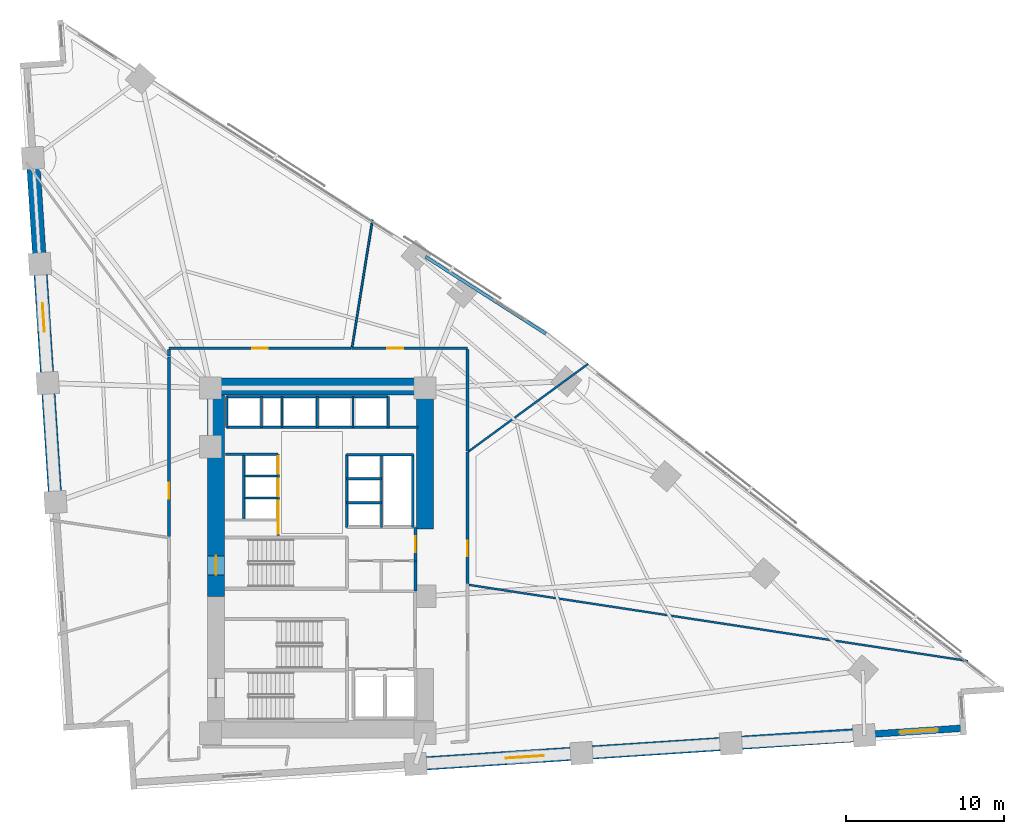
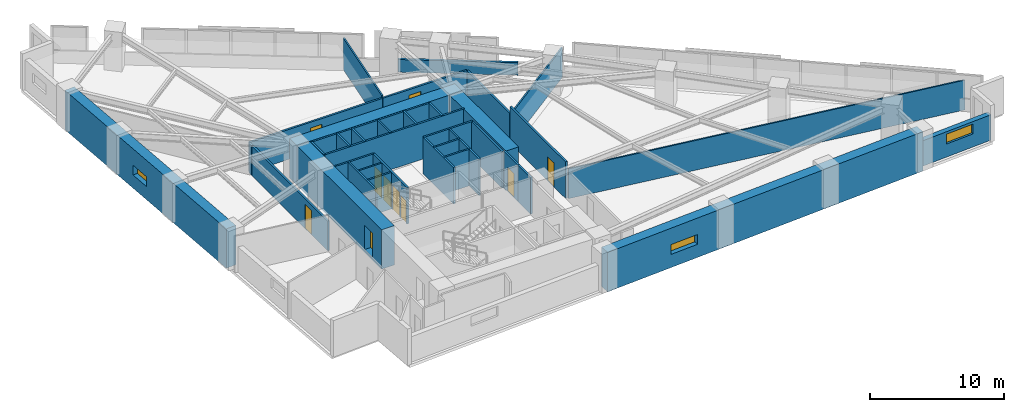
# One storey, part 13 of 16: 38 walls, 10 doors, 3 windows, 13 openings.
"""IFC4 building model written with IfcOpenShell, lengths in metres."""

import ifcopenshell
import ifcopenshell.guid

model = None  # the IFC model being written
_history = None  # IfcOwnerHistory: only IFC2X3 demands one
_inside = {}  # id of a spatial element -> (the spatial element, [elements in it])
_under = {}  # id of a project, library or spatial element -> (it, [spatial elements below it])
_declared = {}  # id of a project -> (the project, [libraries it declares])
_typed = {}  # id of a type object -> (the type object, [elements of that type])
_made_of = {}  # id of a material, layer set ... -> (it, [elements and type objects made of it])


def new_model(schema):
    """Start an empty IFC model of exactly this schema.

    Asked for "IFC4X3", IfcOpenShell would pick the latest addendum, in which some entities
    have other attributes; the version numbers below select the first issue.
    IFC2X3 requires an IfcOwnerHistory on every rooted entity: one is made here for all.
    """
    global model, _history
    if schema == "IFC4X3":
        model = ifcopenshell.file(schema_version=(4, 3, 0, 0))
    else:
        model = ifcopenshell.file(schema=schema)
    _inside.clear()
    _under.clear()
    _declared.clear()
    _typed.clear()
    _made_of.clear()
    _history = None
    if model.schema == "IFC2X3":
        org = make("IfcOrganization", Name="unknown")
        user = make(
            "IfcPersonAndOrganization",
            ThePerson=make("IfcPerson", FamilyName="unknown"),
            TheOrganization=org,
        )
        app = make(
            "IfcApplication",
            ApplicationDeveloper=org,
            Version="unknown",
            ApplicationFullName="unknown",
            ApplicationIdentifier="unknown",
        )
        _history = make(
            "IfcOwnerHistory",
            OwningUser=user,
            OwningApplication=app,
            ChangeAction="ADDED",
            CreationDate=0,
        )
    return model


def make(cls, **values):
    """One entity of the class cls with the attributes given. An attribute that is None is left unset."""
    return model.create_entity(
        cls, **{name: value for name, value in values.items() if value is not None}
    )


def rooted(cls, **values):
    """An entity with a GlobalId (a new one), such as an element, a storey or a relation."""
    return make(cls, GlobalId=ifcopenshell.guid.new(), OwnerHistory=_history, **values)


def si_unit(unit_type, name, prefix=None):
    """IfcSIUnit, for example si_unit("LENGTHUNIT", "METRE", prefix="MILLI")."""
    return make("IfcSIUnit", UnitType=unit_type, Prefix=prefix, Name=name)


def assignment(units):
    """IfcUnitAssignment: the units of a project."""
    return None if units is None else make("IfcUnitAssignment", Units=units)


def point(xyz):
    """IfcCartesianPoint."""
    return None if xyz is None else make("IfcCartesianPoint", Coordinates=xyz)


def direction(xyz):
    """IfcDirection."""
    return None if xyz is None else make("IfcDirection", DirectionRatios=xyz)


def frame(location, z_axis=None, x_axis=None):
    """IfcAxis2Placement3D, a coordinate frame: its origin and axes. An axis left out is left unset."""
    return make(
        "IfcAxis2Placement3D",
        Location=point(location),
        Axis=direction(z_axis),
        RefDirection=direction(x_axis),
    )


def frame_2d(location, x_axis=None):
    """IfcAxis2Placement2D, a coordinate frame in the plane: its origin and x axis."""
    return make(
        "IfcAxis2Placement2D", Location=point(location), RefDirection=direction(x_axis)
    )


def origin():
    """The frame at (0, 0, 0) with its axes left unset."""
    return frame((0.0, 0.0, 0.0))


def place(relative_to, where):
    """IfcLocalPlacement: puts the frame where relative to a parent placement (None: the world)."""
    return make(
        "IfcLocalPlacement", PlacementRelTo=relative_to, RelativePlacement=where
    )


def context(
    kind, dimensions, precision=None, world=None, true_north=None, identifier=None
):
    """IfcGeometricRepresentationContext, for example the 3D "Model" context."""
    return make(
        "IfcGeometricRepresentationContext",
        ContextIdentifier=identifier,
        ContextType=kind,
        CoordinateSpaceDimension=dimensions,
        Precision=precision,
        WorldCoordinateSystem=world,
        TrueNorth=true_north,
    )


def subcontext(parent, identifier, kind, view, scale=None):
    """IfcGeometricRepresentationSubContext, for example "Body" below "Model"."""
    return make(
        "IfcGeometricRepresentationSubContext",
        ContextIdentifier=identifier,
        ContextType=kind,
        ParentContext=parent,
        TargetScale=scale,
        TargetView=view,
    )


def project(units=None, contexts=None):
    """IfcProject with its units and contexts."""
    return rooted(
        "IfcProject",
        Name="project",
        RepresentationContexts=contexts,
        UnitsInContext=assignment(units),
    )


def spatial(cls, under=None, at=None, **own):
    """A site, building, storey or space (cls), placed at a placement, below another one or the project."""
    s = rooted(cls, ObjectPlacement=at, **own)
    if under is not None:
        _under.setdefault(under.id(), (under, []))[1].append(s)
    return s


def profile(cls, at=None, kind="AREA", **sizes):
    """A parametric profile (cls). Its sizes go by their IFC names, for example OverallWidth=200.0."""
    return make(cls, ProfileType=kind, Position=at, **sizes)


def rectangle(**sizes):
    """IfcRectangleProfileDef."""
    return profile("IfcRectangleProfileDef", **sizes)


def extrude(swept, where, along, depth):
    """IfcExtrudedAreaSolid: the profile swept, set in the frame where, extruded along a direction by depth."""
    return make(
        "IfcExtrudedAreaSolid",
        SweptArea=swept,
        Position=where,
        ExtrudedDirection=direction(along),
        Depth=depth,
    )


def shape(context_of_items, identifier, shape_type, items):
    """IfcShapeRepresentation: the items that make up one representation, for example the "Body"."""
    return make(
        "IfcShapeRepresentation",
        ContextOfItems=context_of_items,
        RepresentationIdentifier=identifier,
        RepresentationType=shape_type,
        Items=items,
    )


def material(Name=None, Category=None):
    """IfcMaterial."""
    return make("IfcMaterial", Name=Name, Category=Category)


def layer(
    of_material, thickness, ventilated=None, Name=None, Category=None, Priority=None
):
    """IfcMaterialLayer: one layer of a wall or slab, of a material (None: an air gap)."""
    return make(
        "IfcMaterialLayer",
        Material=of_material,
        LayerThickness=thickness,
        IsVentilated=ventilated,
        Name=Name,
        Category=Category,
        Priority=Priority,
    )


def layer_set(layers, Name=None):
    """IfcMaterialLayerSet."""
    return make("IfcMaterialLayerSet", MaterialLayers=layers, LayerSetName=Name)


def made_of(thing, what):
    """Note that an element or type object is made of a material, layer set ...; save() writes the relation."""
    if what is not None:
        _made_of.setdefault(what.id(), (what, []))[1].append(thing)
    return thing


def type_object(cls, material=None, **own):
    """A type object (cls), such as IfcWallType, which elements share."""
    return made_of(rooted(cls, **own), material)


def element(
    cls,
    number,
    at=None,
    inside=None,
    cuts=None,
    type_object=None,
    material=None,
    context=None,
    identifier="Body",
    shape_type=None,
    held_by="IfcProductDefinitionShape",
    body=None,
    shapes=None,
    **own,
):
    """One element of the class cls, such as IfcWall. Its Tag is "e" and its number.

    at: its placement. inside: the storey or other place that contains it. cuts: it is an
    opening in that element (IfcRelVoidsElement). A single representation is given by context,
    identifier, shape_type and body (its items); several are given by shapes. held_by: the class
    of the entity that holds the representations. save() writes the other relations.
    """
    e = rooted(cls, Tag="e%d" % number, ObjectPlacement=at, **own)
    if body is not None:
        shapes = [shape(context, identifier, shape_type, body)]
    if shapes is not None:
        e.Representation = make(held_by, Representations=shapes)
    if inside is not None:
        _inside.setdefault(inside.id(), (inside, []))[1].append(e)
    if cuts is not None:
        rooted(
            "IfcRelVoidsElement", RelatingBuildingElement=cuts, RelatedOpeningElement=e
        )
    if type_object is not None:
        _typed.setdefault(type_object.id(), (type_object, []))[1].append(e)
    return made_of(e, material)


def fill(opening, filler):
    """IfcRelFillsElement: the door or window that sits in an opening."""
    return rooted(
        "IfcRelFillsElement",
        RelatingOpeningElement=opening,
        RelatedBuildingElement=filler,
    )


def aggregate(whole, parts):
    """IfcRelAggregates: a whole, such as a stair, and the parts it consists of."""
    return rooted("IfcRelAggregates", RelatingObject=whole, RelatedObjects=parts)


def save(model, path):
    """Write the relations noted so far, then the file.

    IfcRelAggregates (storeys below a building ...), IfcRelContainedInSpatialStructure (elements
    in a storey), IfcRelDefinesByType, IfcRelAssociatesMaterial and IfcRelDeclares: one each for
    every whole, place, type object, material and project.
    """
    for whole, parts in _under.values():
        aggregate(whole, parts)
    for where, things in _inside.values():
        rooted(
            "IfcRelContainedInSpatialStructure",
            RelatedElements=things,
            RelatingStructure=where,
        )
    for kind, things in _typed.values():
        rooted("IfcRelDefinesByType", RelatedObjects=things, RelatingType=kind)
    for what, things in _made_of.values():
        rooted("IfcRelAssociatesMaterial", RelatedObjects=things, RelatingMaterial=what)
    for by, libraries in _declared.values():
        rooted("IfcRelDeclares", RelatingContext=by, RelatedDefinitions=libraries)
    model.write(path)


model = new_model("IFC4")

# Units and contexts
model_context = context("Model", 3, precision=1e-05, world=origin(), true_north=direction((0.0, 1.0)))
body_context = subcontext(model_context, "Body", "Model", "MODEL_VIEW")
ifc_project = project(units=[si_unit("LENGTHUNIT", "METRE"), si_unit("AREAUNIT", "SQUARE_METRE"), si_unit("VOLUMEUNIT", "CUBIC_METRE"), si_unit("PLANEANGLEUNIT", "RADIAN"), si_unit("MASSUNIT", "GRAM", prefix="KILO")], contexts=[model_context])

# Site, building, storey
site_placement = place(None, origin())
site = spatial("IfcSite", under=ifc_project, at=site_placement, CompositionType="ELEMENT")
building_placement = place(site_placement, origin())
building = spatial("IfcBuilding", under=site, at=building_placement, Name="Narakoshi Arena Tower", CompositionType="ELEMENT")
storey_placement = place(building_placement, frame((0.0, 0.0, 88.5)))
storey = spatial("IfcBuildingStorey", under=building, at=storey_placement, Name="L23", CompositionType="ELEMENT", Elevation=88.5)

# Wall, opening, door
ifc_material_1 = material(Name="Concrete C60/75", Category="concrete")
ifc_layer_1 = layer(ifc_material_1, 1.10009765625)
ifc_layer_set_1 = layer_set([ifc_layer_1], Name="Concrete C60/75")
wall_type_1 = type_object("IfcWallType", Name="WL-CORE-1100", PredefinedType="SHEAR", material=ifc_layer_set_1)
wall_1_placement = place(storey_placement, frame((72.35009765625, 43.35009765625, -0.260009765625), z_axis=(0.0, 0.0, 1.0), x_axis=(0.0, 1.0, 0.0)))
wall_1 = element("IfcWall", 1, at=wall_1_placement, inside=storey, type_object=wall_type_1, Name="L23 Main Core Shear Wall CW-MN-W", PredefinedType="SHEAR", context=body_context, shape_type="SweptSolid", body=[
    extrude(rectangle(XDim=12.699951171875, YDim=1.10009765625, at=frame_2d((6.35009765625, 0.0))), origin(), (0.0, 0.0, 1.0), 3.60009765625),
])
opening_1_placement = place(wall_1_placement, frame((1.35009765625, 0.0, 0.260009765625)))
opening_1 = element("IfcOpeningElement", 2, at=opening_1_placement, cuts=wall_1, Name="Opening D-03", PredefinedType="OPENING", context=body_context, shape_type="SweptSolid", body=[
    extrude(rectangle(XDim=1.199951171875, YDim=2.199951171875, at=frame_2d((0.60009765625, 1.10009765625))), frame((0.0, 0.56005859375, 0.0), z_axis=(0.0, -1.0, 0.0), x_axis=(1.0, 0.0, 0.0)), (0.0, 0.0, 1.0), 1.1201171875),
])
ifc_material_2 = material(Name="Painted galvanized steel", Category="steel")
door_type_1 = type_object("IfcDoorType", Name="DR-STR-1200", OperationType="NOTDEFINED", PredefinedType="USERDEFINED", material=ifc_material_2)
door_1_placement = place(opening_1_placement, frame((1.199951171875, 0.0, 0.0), z_axis=(0.0, 0.0, 1.0), x_axis=(-1.0, 0.0, 0.0)))
door_1 = element("IfcDoor", 3, at=door_1_placement, inside=storey, type_object=door_type_1, Name="DR-L23-006", ObjectType="EXITDOOR", OperationType="SINGLE_SWING_LEFT", OverallHeight=2.199951171875, OverallWidth=1.199951171875, PredefinedType="USERDEFINED", context=body_context, shape_type="SweptSolid", body=[
    extrude(rectangle(XDim=1.199951171875, YDim=2.199951171875, at=frame_2d((0.60009765625, 1.10009765625))), frame((0.0, 0.02490234375, 0.0), z_axis=(0.0, -1.0, 0.0), x_axis=(1.0, 0.0, 0.0)), (0.0, 0.0, 1.0), 0.050048828125),
])
fill(opening_1, door_1)

# Walls
wall_2_placement = place(storey_placement, frame((71.800048828125, 56.60009765625, -0.260009765625), z_axis=(0.0, 0.0, 1.0), x_axis=(1.0, 0.0, 0.0)))
element("IfcWall", 4, at=wall_2_placement, inside=storey, type_object=wall_type_1, Name="L23 Main Core Shear Wall CW-MN-N", PredefinedType="SHEAR", context=body_context, shape_type="SweptSolid", body=[
    extrude(rectangle(XDim=14.300048828125, YDim=1.10009765625, at=frame_2d((7.14990234375, 0.0))), origin(), (0.0, 0.0, 1.0), 3.60009765625),
])
wall_3_placement = place(storey_placement, frame((85.550048828125, 47.60009765625, -0.260009765625), z_axis=(0.0, 0.0, 1.0), x_axis=(0.0, 1.0, 0.0)))
element("IfcWall", 5, at=wall_3_placement, inside=storey, type_object=wall_type_1, Name="L23 Main Core Shear Wall CW-MN-E", PredefinedType="SHEAR", context=body_context, shape_type="SweptSolid", body=[
    extrude(rectangle(XDim=8.449951171875, YDim=1.10009765625, at=frame_2d((4.22509765625, 0.0))), origin(), (0.0, 0.0, 1.0), 3.60009765625),
])

# Wall, opening, door
ifc_material_3 = material(Name="Gypsum plasterboard fire-rated partition")
ifc_layer_2 = layer(ifc_material_3, 0.1650390625)
ifc_layer_set_2 = layer_set([ifc_layer_2], Name="Gypsum plasterboard fire-rated partition")
wall_type_2 = type_object("IfcWallType", Name="WL-CORR-165", PredefinedType="PARTITIONING", material=ifc_layer_set_2)
wall_4_placement = place(storey_placement, frame((84.949951171875, 45.580078125, 0.0), z_axis=(0.0, 0.0, 1.0), x_axis=(0.0, 1.0, 0.0)))
wall_4 = element("IfcWall", 6, at=wall_4_placement, inside=storey, type_object=wall_type_2, Name="L23 Core Wall CPAS-E", PredefinedType="PARTITIONING", context=body_context, shape_type="SweptSolid", body=[
    extrude(rectangle(XDim=2.119873046875, YDim=0.1650390625, at=frame_2d((1.06005859375, 0.0))), origin(), (0.0, 0.0, 1.0), 3.340087890625),
])
opening_2_placement = place(wall_4_placement, frame((0.56005859375, 0.0, 0.0)))
opening_2 = element("IfcOpeningElement", 7, at=opening_2_placement, cuts=wall_4, Name="Opening D-06", PredefinedType="OPENING", context=body_context, shape_type="SweptSolid", body=[
    extrude(rectangle(XDim=1.0, YDim=2.199951171875, at=frame_2d((0.5, 1.10009765625))), frame((0.0, 0.092529296875, 0.0), z_axis=(0.0, -1.0, 0.0), x_axis=(1.0, 0.0, 0.0)), (0.0, 0.0, 1.0), 0.18505859375),
])
ifc_material_4 = material(Name="Stained oak solid-core timber", Category="wood")
door_type_2 = type_object("IfcDoorType", Name="DR-OFF-1000", OperationType="NOTDEFINED", PredefinedType="DOOR", material=ifc_material_4)
door_2_placement = place(opening_2_placement, frame((1.0, 0.0, 0.0), z_axis=(0.0, 0.0, 1.0), x_axis=(-1.0, 0.0, 0.0)))
door_2 = element("IfcDoor", 8, at=door_2_placement, inside=storey, type_object=door_type_2, Name="DR-L23-007", OperationType="SINGLE_SWING_LEFT", OverallHeight=2.199951171875, OverallWidth=1.0, PredefinedType="DOOR", context=body_context, shape_type="SweptSolid", body=[
    extrude(rectangle(XDim=1.0, YDim=2.199951171875, at=frame_2d((0.5, 1.10009765625))), frame((0.0, 0.02490234375, 0.0), z_axis=(0.0, -1.0, 0.0), x_axis=(1.0, 0.0, 0.0)), (0.0, 0.0, 1.0), 0.050048828125),
])
fill(opening_2, door_2)

wall_5_placement = place(storey_placement, frame((88.237548828125, 44.142578125, 0.0), z_axis=(0.0, 0.0, 1.0), x_axis=(0.0, 1.0, 0.0)))
wall_5 = element("IfcWall", 9, at=wall_5_placement, inside=storey, type_object=wall_type_2, Name="L23 Corridor Partition 06-1", PredefinedType="PARTITIONING", context=body_context, shape_type="SweptSolid", body=[
    extrude(rectangle(XDim=8.337158203125, YDim=0.1650390625, at=frame_2d((4.16845703125, 0.0))), origin(), (0.0, 0.0, 1.0), 3.340087890625),
])
opening_3_placement = place(wall_5_placement, frame((1.72607421875, 0.0, 0.0)))
opening_3 = element("IfcOpeningElement", 10, at=opening_3_placement, cuts=wall_5, Name="Opening D-06", PredefinedType="OPENING", context=body_context, shape_type="SweptSolid", body=[
    extrude(rectangle(XDim=1.0, YDim=2.199951171875, at=frame_2d((0.5, 1.10009765625))), frame((0.0, 0.092529296875, 0.0), z_axis=(0.0, -1.0, 0.0), x_axis=(1.0, 0.0, 0.0)), (0.0, 0.0, 1.0), 0.18505859375),
])
door_3_placement = place(opening_3_placement, frame((1.0, 0.0, 0.0), z_axis=(0.0, 0.0, 1.0), x_axis=(-1.0, 0.0, 0.0)))
door_3 = element("IfcDoor", 11, at=door_3_placement, inside=storey, type_object=door_type_2, Name="DR-L23-019", OperationType="SINGLE_SWING_RIGHT", OverallHeight=2.199951171875, OverallWidth=1.0, PredefinedType="DOOR", context=body_context, shape_type="SweptSolid", body=[
    extrude(rectangle(XDim=1.0, YDim=2.199951171875, at=frame_2d((0.5, 1.10009765625))), frame((0.0, 0.02490234375, 0.0), z_axis=(0.0, -1.0, 0.0), x_axis=(1.0, 0.0, 0.0)), (0.0, 0.0, 1.0), 0.050048828125),
])
fill(opening_3, door_3)

wall_6_placement = place(storey_placement, frame((88.237548828125, 59.02001953125, 0.0), z_axis=(0.0, 0.0, 1.0), x_axis=(-1.0, 0.0, 0.0)))
wall_6 = element("IfcWall", 12, at=wall_6_placement, inside=storey, type_object=wall_type_2, Name="L23 Corridor Partition 07-1", PredefinedType="PARTITIONING", context=body_context, shape_type="SweptSolid", body=[
    extrude(rectangle(XDim=7.3359375, YDim=0.1650390625, at=frame_2d((3.66796875, 0.0))), origin(), (0.0, 0.0, 1.0), 2.72509765625),
])
opening_4_placement = place(wall_6_placement, frame((4.058349609375, 0.0, 0.0)))
opening_4 = element("IfcOpeningElement", 13, at=opening_4_placement, cuts=wall_6, Name="Opening D-06", PredefinedType="OPENING", context=body_context, shape_type="SweptSolid", body=[
    extrude(rectangle(XDim=1.0, YDim=2.199951171875, at=frame_2d((0.5, 1.10009765625))), frame((0.0, 0.092529296875, 0.0), z_axis=(0.0, -1.0, 0.0), x_axis=(1.0, 0.0, 0.0)), (0.0, 0.0, 1.0), 0.18505859375),
])
door_4_placement = place(opening_4_placement, frame((1.0, 0.0, 0.0), z_axis=(0.0, 0.0, 1.0), x_axis=(-1.0, 0.0, 0.0)))
door_4 = element("IfcDoor", 14, at=door_4_placement, inside=storey, type_object=door_type_2, Name="DR-L23-020", OperationType="SINGLE_SWING_LEFT", OverallHeight=2.199951171875, OverallWidth=1.0, PredefinedType="DOOR", context=body_context, shape_type="SweptSolid", body=[
    extrude(rectangle(XDim=1.0, YDim=2.199951171875, at=frame_2d((0.5, 1.10009765625))), frame((0.0, 0.02490234375, 0.0), z_axis=(0.0, -1.0, 0.0), x_axis=(1.0, 0.0, 0.0)), (0.0, 0.0, 1.0), 0.050048828125),
])
fill(opening_4, door_4)

# Wall
wall_7_placement = place(storey_placement, frame((88.237548828125, 52.5419921875, 0.0), z_axis=(0.0, 0.0, 1.0), x_axis=(0.0, 1.0, 0.0)))
element("IfcWall", 15, at=wall_7_placement, inside=storey, type_object=wall_type_2, Name="L23 Corridor Partition 07-2", PredefinedType="PARTITIONING", context=body_context, shape_type="SweptSolid", body=[
    extrude(rectangle(XDim=6.383544921875, YDim=0.1650390625, at=frame_2d((3.19189453125, 0.0))), origin(), (0.0, 0.0, 1.0), 2.72509765625),
])

# Wall, opening, door
wall_8_placement = place(storey_placement, frame((80.87744140625, 59.02001953125, 0.0), z_axis=(0.0, 0.0, 1.0), x_axis=(-1.0, 0.0, 0.0)))
wall_8 = element("IfcWall", 16, at=wall_8_placement, inside=storey, type_object=wall_type_2, Name="L23 Corridor Partition 08-1", PredefinedType="PARTITIONING", context=body_context, shape_type="SweptSolid", body=[
    extrude(rectangle(XDim=11.49755859375, YDim=0.1650390625, at=frame_2d((5.748779296875, 0.0))), origin(), (0.0, 0.0, 1.0), 2.72509765625),
])
opening_5_placement = place(wall_8_placement, frame((5.248779296875, 0.0, 0.0)))
opening_5 = element("IfcOpeningElement", 17, at=opening_5_placement, cuts=wall_8, Name="Opening D-06", PredefinedType="OPENING", context=body_context, shape_type="SweptSolid", body=[
    extrude(rectangle(XDim=1.0, YDim=2.199951171875, at=frame_2d((0.5, 1.10009765625))), frame((0.0, 0.092529296875, 0.0), z_axis=(0.0, -1.0, 0.0), x_axis=(1.0, 0.0, 0.0)), (0.0, 0.0, 1.0), 0.18505859375),
])
door_5_placement = place(opening_5_placement, frame((1.0, 0.0, 0.0), z_axis=(0.0, 0.0, 1.0), x_axis=(-1.0, 0.0, 0.0)))
door_5 = element("IfcDoor", 18, at=door_5_placement, inside=storey, type_object=door_type_2, Name="DR-L23-021", OperationType="SINGLE_SWING_RIGHT", OverallHeight=2.199951171875, OverallWidth=1.0, PredefinedType="DOOR", context=body_context, shape_type="SweptSolid", body=[
    extrude(rectangle(XDim=1.0, YDim=2.199951171875, at=frame_2d((0.5, 1.10009765625))), frame((0.0, 0.02490234375, 0.0), z_axis=(0.0, -1.0, 0.0), x_axis=(1.0, 0.0, 0.0)), (0.0, 0.0, 1.0), 0.050048828125),
])
fill(opening_5, door_5)

# Wall
wall_9_placement = place(storey_placement, frame((69.3798828125, 58.925537109375, 0.0), z_axis=(0.0, 0.0, 1.0), x_axis=(0.0, -1.0, 0.0)))
element("IfcWall", 19, at=wall_9_placement, inside=storey, type_object=wall_type_2, Name="L23 Corridor Partition 08-2", PredefinedType="PARTITIONING", context=body_context, shape_type="SweptSolid", body=[
    extrude(rectangle(XDim=0.410888671875, YDim=0.1650390625, at=frame_2d((0.20556640625, 0.0))), origin(), (0.0, 0.0, 1.0), 2.72509765625),
])

# Wall, opening, door
wall_10_placement = place(storey_placement, frame((69.3798828125, 58.47412109375, 0.0), z_axis=(0.0, 0.0, 1.0), x_axis=(0.0, -1.0, 0.0)))
wall_10 = element("IfcWall", 20, at=wall_10_placement, inside=storey, type_object=wall_type_2, Name="L23 Corridor Partition 09-1", PredefinedType="PARTITIONING", context=body_context, shape_type="SweptSolid", body=[
    extrude(rectangle(XDim=11.34423828125, YDim=0.1650390625, at=frame_2d((5.672119140625, 0.0))), origin(), (0.0, 0.0, 1.0), 2.72509765625),
])
opening_6_placement = place(wall_10_placement, frame((7.95654296875, 0.0, 0.0)))
opening_6 = element("IfcOpeningElement", 21, at=opening_6_placement, cuts=wall_10, Name="Opening D-06", PredefinedType="OPENING", context=body_context, shape_type="SweptSolid", body=[
    extrude(rectangle(XDim=1.0, YDim=2.199951171875, at=frame_2d((0.5, 1.10009765625))), frame((0.0, 0.092529296875, 0.0), z_axis=(0.0, -1.0, 0.0), x_axis=(1.0, 0.0, 0.0)), (0.0, 0.0, 1.0), 0.18505859375),
])
door_6_placement = place(opening_6_placement, frame((1.0, 0.0, 0.0), z_axis=(0.0, 0.0, 1.0), x_axis=(-1.0, 0.0, 0.0)))
door_6 = element("IfcDoor", 22, at=door_6_placement, inside=storey, type_object=door_type_2, Name="DR-L23-022", OperationType="SINGLE_SWING_LEFT", OverallHeight=2.199951171875, OverallWidth=1.0, PredefinedType="DOOR", context=body_context, shape_type="SweptSolid", body=[
    extrude(rectangle(XDim=1.0, YDim=2.199951171875, at=frame_2d((0.5, 1.10009765625))), frame((0.0, 0.02490234375, 0.0), z_axis=(0.0, -1.0, 0.0), x_axis=(1.0, 0.0, 0.0)), (0.0, 0.0, 1.0), 0.050048828125),
])
fill(opening_6, door_6)

# Wall, opening, window
ifc_layer_3 = layer(ifc_material_1, 0.85009765625)
ifc_layer_set_3 = layer_set([ifc_layer_3], Name="Concrete C60/75")
wall_type_3 = type_object("IfcWallType", Name="WL-LEG-850", PredefinedType="SHEAR", material=ifc_layer_set_3)
wall_11_placement = place(storey_placement, frame((84.95703125, 32.7509765625, -0.260009765625), z_axis=(0.0, 0.0, 1.0), x_axis=(0.997859046449, 0.065401249368, 0.0)))
wall_11 = element("IfcWall", 23, at=wall_11_placement, inside=storey, type_object=wall_type_3, Name="L23 Architectural Concrete Structural Wall LEGA-2", PredefinedType="SHEAR", context=body_context, shape_type="SweptSolid", body=[
    extrude(rectangle(XDim=28.400390625, YDim=0.85009765625, at=frame_2d((14.2001953125, 0.0))), origin(), (0.0, 0.0, 1.0), 3.60009765625),
])
opening_7_placement = place(wall_11_placement, frame((5.699951171875, 0.0, 1.199951171875)))
opening_7 = element("IfcOpeningElement", 24, at=opening_7_placement, cuts=wall_11, Name="Opening WN-01", PredefinedType="OPENING", context=body_context, shape_type="SweptSolid", body=[
    extrude(rectangle(XDim=2.39990234375, YDim=0.89990234375, at=frame_2d((1.199951171875, 0.449951171875))), frame((0.0, 0.43505859375, 0.0), z_axis=(0.0, -1.0, 0.0), x_axis=(1.0, 0.0, 0.0)), (0.0, 0.0, 1.0), 0.8701171875),
])
ifc_material_5 = material(Name="Bronze-tinted low-E laminated glass", Category="glass")
window_type_1 = type_object("IfcWindowType", Name="WIN-SLT-24x09", PartitioningType="SINGLE_PANEL", PredefinedType="WINDOW", material=ifc_material_5)
window_1_placement = place(opening_7_placement, origin())
window_1 = element("IfcWindow", 25, at=window_1_placement, inside=storey, type_object=window_type_1, Name="L23 LEGA2 Horizontal Slot Window 1", OverallHeight=0.89990234375, OverallWidth=2.39990234375, PartitioningType="SINGLE_PANEL", PredefinedType="WINDOW", context=body_context, shape_type="SweptSolid", body=[
    extrude(rectangle(XDim=2.39990234375, YDim=0.89990234375, at=frame_2d((1.199951171875, 0.449951171875))), frame((0.0, 0.030029296875, 0.0), z_axis=(0.0, -1.0, 0.0), x_axis=(1.0, 0.0, 0.0)), (0.0, 0.0, 1.0), 0.06005859375),
])
fill(opening_7, window_1)

wall_12_placement = place(storey_placement, frame((60.785400390625, 71.031005859375, -0.260009765625), z_axis=(0.0, 0.0, 1.0), x_axis=(0.065409824833, -0.997858484363, 0.0)))
wall_12 = element("IfcWall", 26, at=wall_12_placement, inside=storey, type_object=wall_type_3, Name="L23 Architectural Concrete Structural Wall LEGB-2", PredefinedType="SHEAR", context=body_context, shape_type="SweptSolid", body=[
    extrude(rectangle(XDim=21.78271484375, YDim=0.85009765625, at=frame_2d((10.891357421875, 0.0))), origin(), (0.0, 0.0, 1.0), 3.60009765625),
])
opening_8_placement = place(wall_12_placement, frame((9.199951171875, 0.0, 1.199951171875)))
opening_8 = element("IfcOpeningElement", 27, at=opening_8_placement, cuts=wall_12, Name="Opening WN-02", PredefinedType="OPENING", context=body_context, shape_type="SweptSolid", body=[
    extrude(rectangle(XDim=1.800048828125, YDim=0.89990234375, at=frame_2d((0.89990234375, 0.449951171875))), frame((0.0, 0.43505859375, 0.0), z_axis=(0.0, -1.0, 0.0), x_axis=(1.0, 0.0, 0.0)), (0.0, 0.0, 1.0), 0.8701171875),
])
window_type_2 = type_object("IfcWindowType", Name="WIN-SLT-18x09", PartitioningType="SINGLE_PANEL", PredefinedType="WINDOW", material=ifc_material_5)
window_2_placement = place(opening_8_placement, origin())
window_2 = element("IfcWindow", 28, at=window_2_placement, inside=storey, type_object=window_type_2, Name="L23 LEGB2 Horizontal Slot Window 1", OverallHeight=0.89990234375, OverallWidth=1.800048828125, PartitioningType="SINGLE_PANEL", PredefinedType="WINDOW", context=body_context, shape_type="SweptSolid", body=[
    extrude(rectangle(XDim=1.800048828125, YDim=0.89990234375, at=frame_2d((0.89990234375, 0.449951171875))), frame((0.0, 0.030029296875, 0.0), z_axis=(0.0, -1.0, 0.0), x_axis=(1.0, 0.0, 0.0)), (0.0, 0.0, 1.0), 0.06005859375),
])
fill(opening_8, window_2)

# Walls
ifc_material_6 = material(Name="Precast concrete C45/55", Category="concrete")
ifc_layer_4 = layer(ifc_material_6, 0.25)
ifc_layer_set_4 = layer_set([ifc_layer_4], Name="Precast concrete C45/55")
wall_type_4 = type_object("IfcWallType", Name="WL-PARA-250", PredefinedType="PARAPET", material=ifc_layer_set_4)
wall_13_placement = place(storey_placement, frame((93.176025390625, 59.93896484375, 0.0), z_axis=(0.0, 0.0, 1.0), x_axis=(-0.842413081081, 0.538832256666, 0.0)))
element("IfcWall", 29, at=wall_13_placement, inside=storey, type_object=wall_type_4, Name="L23 Hypotenuse Sill Upstand Parapet 2-01", PredefinedType="PARAPET", context=body_context, shape_type="SweptSolid", body=[
    extrude(rectangle(XDim=9.010986328125, YDim=0.199951171875, at=frame_2d((4.50537109375, 0.0))), origin(), (0.0, 0.0, 1.0), 1.14990234375),
])
ifc_layer_5 = layer(ifc_material_3, 0.125)
ifc_layer_set_5 = layer_set([ifc_layer_5], Name="Gypsum plasterboard fire-rated partition")
wall_type_5 = type_object("IfcWallType", Name="WL-PART-125", PredefinedType="PARTITIONING", material=ifc_layer_set_5)
wall_14_placement = place(storey_placement, frame((88.33203125, 44.067626953125, 0.0), z_axis=(0.0, 0.0, 1.0), x_axis=(0.988573847278, -0.150737349316, 0.0)))
element("IfcWall", 30, at=wall_14_placement, inside=storey, type_object=wall_type_5, Name="L23 Inter-Room Partition 05-06", PredefinedType="PARTITIONING", context=body_context, shape_type="SweptSolid", body=[
    extrude(rectangle(XDim=31.876220703125, YDim=0.125, at=frame_2d((15.93798828125, 0.0))), origin(), (0.0, 0.0, 1.0), 2.72509765625),
])
wall_15_placement = place(storey_placement, frame((88.27880859375, 52.479736328125, 0.0), z_axis=(0.0, 0.0, 1.0), x_axis=(0.80669792857, 0.590964002323, 0.0)))
element("IfcWall", 31, at=wall_15_placement, inside=storey, type_object=wall_type_5, Name="L23 Inter-Room Partition 06-07", PredefinedType="PARTITIONING", context=body_context, shape_type="SweptSolid", body=[
    extrude(rectangle(XDim=9.403076171875, YDim=0.125, at=frame_2d((4.70166015625, 0.0))), origin(), (0.0, 0.0, 1.0), 2.72509765625),
])
wall_16_placement = place(storey_placement, frame((80.953125, 59.114501953125, 0.0), z_axis=(0.0, 0.0, 1.0), x_axis=(0.157731190012, 0.987482086773, 0.0)))
element("IfcWall", 32, at=wall_16_placement, inside=storey, type_object=wall_type_5, Name="L23 Inter-Room Partition 07-08", PredefinedType="PARTITIONING", context=body_context, shape_type="SweptSolid", body=[
    extrude(rectangle(XDim=8.115234375, YDim=0.125, at=frame_2d((4.0576171875, 0.0))), origin(), (0.0, 0.0, 1.0), 2.875),
])

# Wall, opening, window
ifc_layer_6 = layer(ifc_material_6, 0.419921875)
ifc_layer_set_6 = layer_set([ifc_layer_6], Name="Precast concrete C45/55")
wall_type_6 = type_object("IfcWallType", Name="WL-POD-420", PredefinedType="SOLIDWALL", material=ifc_layer_set_6)
wall_17_placement = place(storey_placement, frame((113.296630859375, 34.6083984375, 0.0), z_axis=(0.0, 0.0, 1.0), x_axis=(0.997857907016, 0.065418631945, 0.0)))
wall_17 = element("IfcWall", 33, at=wall_17_placement, inside=storey, type_object=wall_type_6, Name="L23 Architectural Concrete Facade Wall LEGA-3", PredefinedType="SOLIDWALL", context=body_context, shape_type="SweptSolid", body=[
    extrude(rectangle(XDim=6.2734375, YDim=0.419921875, at=frame_2d((3.13671875, 0.0))), origin(), (0.0, 0.0, 1.0), 2.324951171875),
])
opening_9_placement = place(wall_17_placement, frame((2.25341796875, 0.0, 1.199951171875)))
opening_9 = element("IfcOpeningElement", 34, at=opening_9_placement, cuts=wall_17, Name="Opening WN-01", PredefinedType="OPENING", context=body_context, shape_type="SweptSolid", body=[
    extrude(rectangle(XDim=2.39990234375, YDim=0.89990234375, at=frame_2d((1.199951171875, 0.449951171875))), frame((0.0, 0.219970703125, 0.0), z_axis=(0.0, -1.0, 0.0), x_axis=(1.0, 0.0, 0.0)), (0.0, 0.0, 1.0), 0.43994140625),
])
window_3_placement = place(opening_9_placement, origin())
window_3 = element("IfcWindow", 35, at=window_3_placement, inside=storey, type_object=window_type_1, Name="L23 LEGA3 Horizontal Slot Window 1", OverallHeight=0.89990234375, OverallWidth=2.39990234375, PartitioningType="SINGLE_PANEL", PredefinedType="WINDOW", context=body_context, shape_type="SweptSolid", body=[
    extrude(rectangle(XDim=2.39990234375, YDim=0.89990234375, at=frame_2d((1.199951171875, 0.449951171875))), frame((0.0, 0.030029296875, 0.0), z_axis=(0.0, -1.0, 0.0), x_axis=(1.0, 0.0, 0.0)), (0.0, 0.0, 1.0), 0.06005859375),
])
fill(opening_9, window_3)

# Walls
ifc_material_7 = material(Name="Concrete C40/50", Category="concrete")
ifc_layer_7 = layer(ifc_material_7, 0.280029296875)
ifc_layer_set_7 = layer_set([ifc_layer_7], Name="Concrete C40/50")
wall_type_7 = type_object("IfcWallType", Name="WL-RISER-280", PredefinedType="PLUMBINGWALL", material=ifc_layer_set_7)
wall_18_placement = place(storey_placement, frame((84.949951171875, 43.679931640625, 0.0), z_axis=(0.0, 0.0, 1.0), x_axis=(0.0, 1.0, 0.0)))
element("IfcWall", 36, at=wall_18_placement, inside=storey, type_object=wall_type_7, Name="L23 Core Wall RSR-E", PredefinedType="PLUMBINGWALL", context=body_context, shape_type="SweptSolid", body=[
    extrude(rectangle(XDim=1.900146484375, YDim=0.1650390625, at=frame_2d((0.9501953125, 0.0))), origin(), (0.0, 0.0, 1.0), 3.340087890625),
])
for number, where, z_axis, x_axis, name in (
    (37, (74.14990234375, 49.550048828125, 0.0), (0.0, 0.0, 1.0), (1.0, 0.0, 0.0), "L23 Core Wall LR-D1"),
    (38, (74.14990234375, 50.949951171875, 0.0), (0.0, 0.0, 1.0), (1.0, 0.0, 0.0), "L23 Core Wall LR-D2"),
):
    element("IfcWall", number, at=place(storey_placement, frame(where, z_axis=z_axis, x_axis=x_axis)), inside=storey, type_object=wall_type_7, Name=name, PredefinedType="PLUMBINGWALL", context=body_context, shape_type="SweptSolid", body=[
        extrude(rectangle(XDim=2.0400390625, YDim=0.139892578125, at=frame_2d((1.02001953125, 0.0))), origin(), (0.0, 0.0, 1.0), 3.340087890625),
    ])
wall_19_placement = place(storey_placement, frame((74.10009765625, 48.159912109375, 0.0), z_axis=(0.0, 0.0, 1.0), x_axis=(0.0, 1.0, 0.0)))
element("IfcWall", 39, at=wall_19_placement, inside=storey, type_object=wall_type_7, Name="L23 Core Wall LR-W", PredefinedType="PLUMBINGWALL", context=body_context, shape_type="SweptSolid", body=[
    extrude(rectangle(XDim=4.16015625, YDim=0.139892578125, at=frame_2d((2.080078125, 0.0))), origin(), (0.0, 0.0, 1.0), 3.340087890625),
])
for number, where, z_axis, x_axis, name in (
    (40, (80.60009765625, 49.260009765625, 0.0), (0.0, 0.0, 1.0), (1.0, 0.0, 0.0), "L23 Core Wall MR-D1"),
    (41, (80.60009765625, 50.780029296875, 0.0), (0.0, 0.0, 1.0), (1.0, 0.0, 0.0), "L23 Core Wall MR-D2"),
):
    element("IfcWall", number, at=place(storey_placement, frame(where, z_axis=z_axis, x_axis=x_axis)), inside=storey, type_object=wall_type_7, Name=name, PredefinedType="PLUMBINGWALL", context=body_context, shape_type="SweptSolid", body=[
        extrude(rectangle(XDim=2.199951171875, YDim=0.14990234375, at=frame_2d((1.10009765625, 0.0))), origin(), (0.0, 0.0, 1.0), 3.340087890625),
    ])
wall_20_placement = place(storey_placement, frame((82.800048828125, 47.699951171875, 0.0), z_axis=(0.0, 0.0, 1.0), x_axis=(0.0, 1.0, 0.0)))
element("IfcWall", 42, at=wall_20_placement, inside=storey, type_object=wall_type_7, Name="L23 Core Wall MR-E", PredefinedType="PLUMBINGWALL", context=body_context, shape_type="SweptSolid", body=[
    extrude(rectangle(XDim=4.60009765625, YDim=0.14990234375, at=frame_2d((2.300048828125, 0.0))), origin(), (0.0, 0.0, 1.0), 3.340087890625),
])
for number, where, z_axis, x_axis, name in (
    (43, (73.02001953125, 54.02001953125, 0.0), (0.0, 0.0, 1.0), (0.0, 1.0, 0.0), "L23 Core Wall OBS-W"),
    (44, (75.219970703125, 54.02001953125, 0.0), (0.0, 0.0, 1.0), (0.0, 1.0, 0.0), "L23 Core Wall OBS-M"),
):
    element("IfcWall", number, at=place(storey_placement, frame(where, z_axis=z_axis, x_axis=x_axis)), inside=storey, type_object=wall_type_7, Name=name, PredefinedType="PLUMBINGWALL", context=body_context, shape_type="SweptSolid", body=[
        extrude(rectangle(XDim=1.93994140625, YDim=0.14990234375, at=frame_2d((0.969970703125, 0.0))), origin(), (0.0, 0.0, 1.0), 3.340087890625),
    ])
for number, where, z_axis, x_axis, name in (
    (45, (78.75, 54.02001953125, 0.0), (0.0, 0.0, 1.0), (0.0, 1.0, 0.0), "L23 Core Wall HR-D1"),
    (46, (81.0, 54.02001953125, 0.0), (0.0, 0.0, 1.0), (0.0, 1.0, 0.0), "L23 Core Wall HR-D2"),
):
    element("IfcWall", number, at=place(storey_placement, frame(where, z_axis=z_axis, x_axis=x_axis)), inside=storey, type_object=wall_type_7, Name=name, PredefinedType="PLUMBINGWALL", context=body_context, shape_type="SweptSolid", body=[
        extrude(rectangle(XDim=1.9599609375, YDim=0.14990234375, at=frame_2d((0.97998046875, 0.0))), origin(), (0.0, 0.0, 1.0), 3.340087890625),
    ])

# Wall, openings, doors
ifc_material_8 = material(Name="Concrete C50/60", Category="concrete")
ifc_layer_8 = layer(ifc_material_8, 0.35009765625)
ifc_layer_set_8 = layer_set([ifc_layer_8], Name="Concrete C50/60")
wall_type_8 = type_object("IfcWallType", Name="WL-SHAFT-350", PredefinedType="SOLIDWALL", material=ifc_layer_set_8)
wall_21_placement = place(storey_placement, frame((76.280029296875, 47.179931640625, 0.0), z_axis=(0.0, 0.0, 1.0), x_axis=(0.0, 1.0, 0.0)))
wall_21 = element("IfcWall", 47, at=wall_21_placement, inside=storey, type_object=wall_type_8, Name="L23 Core Wall LR-E", PredefinedType="SOLIDWALL", context=body_context, shape_type="SweptSolid", body=[
    extrude(rectangle(XDim=5.14013671875, YDim=0.159912109375, at=frame_2d((2.570068359375, 0.0))), origin(), (0.0, 0.0, 1.0), 3.340087890625),
])
opening_10_placement = place(wall_21_placement, frame((1.10009765625, 0.0, 0.0)))
opening_10 = element("IfcOpeningElement", 48, at=opening_10_placement, cuts=wall_21, Name="Opening LD-01", PredefinedType="OPENING", context=body_context, shape_type="SweptSolid", body=[
    extrude(rectangle(XDim=1.10009765625, YDim=2.25, at=frame_2d((0.550048828125, 1.125))), frame((0.0, 0.08984375, 0.0), z_axis=(0.0, -1.0, 0.0), x_axis=(1.0, 0.0, 0.0)), (0.0, 0.0, 1.0), 0.179931640625),
])
opening_11_placement = place(wall_21_placement, frame((2.5, 0.0, 0.0)))
opening_11 = element("IfcOpeningElement", 49, at=opening_11_placement, cuts=wall_21, Name="Opening LD-01", PredefinedType="OPENING", context=body_context, shape_type="SweptSolid", body=[
    extrude(rectangle(XDim=1.10009765625, YDim=2.25, at=frame_2d((0.550048828125, 1.125))), frame((0.0, 0.08984375, 0.0), z_axis=(0.0, -1.0, 0.0), x_axis=(1.0, 0.0, 0.0)), (0.0, 0.0, 1.0), 0.179931640625),
])
opening_12_placement = place(wall_21_placement, frame((3.89990234375, 0.0, 0.0)))
opening_12 = element("IfcOpeningElement", 50, at=opening_12_placement, cuts=wall_21, Name="Opening LD-01", PredefinedType="OPENING", context=body_context, shape_type="SweptSolid", body=[
    extrude(rectangle(XDim=1.10009765625, YDim=2.25, at=frame_2d((0.550048828125, 1.125))), frame((0.0, 0.08984375, 0.0), z_axis=(0.0, -1.0, 0.0), x_axis=(1.0, 0.0, 0.0)), (0.0, 0.0, 1.0), 0.179931640625),
])
opening_13_placement = place(wall_21_placement, frame((0.1201171875, 0.0, 0.0)))
opening_13 = element("IfcOpeningElement", 51, at=opening_13_placement, cuts=wall_21, Name="Opening D-10", PredefinedType="OPENING", context=body_context, shape_type="SweptSolid", body=[
    extrude(rectangle(XDim=0.85009765625, YDim=2.050048828125, at=frame_2d((0.425048828125, 1.02490234375))), frame((0.0, 0.08984375, 0.0), z_axis=(0.0, -1.0, 0.0), x_axis=(1.0, 0.0, 0.0)), (0.0, 0.0, 1.0), 0.179931640625),
])
ifc_material_9 = material(Name="Brushed bronze stainless steel", Category="steel")
door_type_3 = type_object("IfcDoorType", Name="DR-LFT-1100", OperationType="DOUBLE_DOOR_SLIDING", PredefinedType="DOOR", material=ifc_material_9)
door_7_placement = place(opening_10_placement, origin())
door_7 = element("IfcDoor", 52, at=door_7_placement, inside=storey, type_object=door_type_3, Name="DR-L23-010", OperationType="DOUBLE_DOOR_SLIDING", OverallHeight=2.25, OverallWidth=1.10009765625, PredefinedType="DOOR", context=body_context, shape_type="SweptSolid", body=[
    extrude(rectangle(XDim=1.10009765625, YDim=2.25, at=frame_2d((0.550048828125, 1.125))), frame((0.0, 0.02490234375, 0.0), z_axis=(0.0, -1.0, 0.0), x_axis=(1.0, 0.0, 0.0)), (0.0, 0.0, 1.0), 0.050048828125),
])
fill(opening_10, door_7)
door_8_placement = place(opening_11_placement, origin())
door_8 = element("IfcDoor", 53, at=door_8_placement, inside=storey, type_object=door_type_3, Name="DR-L23-011", OperationType="DOUBLE_DOOR_SLIDING", OverallHeight=2.25, OverallWidth=1.10009765625, PredefinedType="DOOR", context=body_context, shape_type="SweptSolid", body=[
    extrude(rectangle(XDim=1.10009765625, YDim=2.25, at=frame_2d((0.550048828125, 1.125))), frame((0.0, 0.02490234375, 0.0), z_axis=(0.0, -1.0, 0.0), x_axis=(1.0, 0.0, 0.0)), (0.0, 0.0, 1.0), 0.050048828125),
])
fill(opening_11, door_8)
door_9_placement = place(opening_12_placement, origin())
door_9 = element("IfcDoor", 54, at=door_9_placement, inside=storey, type_object=door_type_3, Name="DR-L23-012", OperationType="DOUBLE_DOOR_SLIDING", OverallHeight=2.25, OverallWidth=1.10009765625, PredefinedType="DOOR", context=body_context, shape_type="SweptSolid", body=[
    extrude(rectangle(XDim=1.10009765625, YDim=2.25, at=frame_2d((0.550048828125, 1.125))), frame((0.0, 0.02490234375, 0.0), z_axis=(0.0, -1.0, 0.0), x_axis=(1.0, 0.0, 0.0)), (0.0, 0.0, 1.0), 0.050048828125),
])
fill(opening_12, door_9)
door_type_4 = type_object("IfcDoorType", Name="DR-RSR-850", OperationType="NOTDEFINED", PredefinedType="DOOR", material=ifc_material_2)
door_10_placement = place(opening_13_placement, frame((0.85009765625, 0.0, 0.0), z_axis=(0.0, 0.0, 1.0), x_axis=(-1.0, 0.0, 0.0)))
door_10 = element("IfcDoor", 55, at=door_10_placement, inside=storey, type_object=door_type_4, Name="DR-L23-013", OperationType="SINGLE_SWING_LEFT", OverallHeight=2.050048828125, OverallWidth=0.85009765625, PredefinedType="DOOR", context=body_context, shape_type="SweptSolid", body=[
    extrude(rectangle(XDim=0.85009765625, YDim=2.050048828125, at=frame_2d((0.425048828125, 1.02490234375))), frame((0.0, 0.02490234375, 0.0), z_axis=(0.0, -1.0, 0.0), x_axis=(1.0, 0.0, 0.0)), (0.0, 0.0, 1.0), 0.050048828125),
])
fill(opening_13, door_10)

# Walls
wall_22_placement = place(storey_placement, frame((72.949951171875, 52.320068359375, 0.0), z_axis=(0.0, 0.0, 1.0), x_axis=(1.0, 0.0, 0.0)))
element("IfcWall", 56, at=wall_22_placement, inside=storey, type_object=wall_type_8, Name="L23 Core Wall LR-N", PredefinedType="SOLIDWALL", context=body_context, shape_type="SweptSolid", body=[
    extrude(rectangle(XDim=3.330078125, YDim=0.14990234375, at=frame_2d((1.6650390625, 0.0))), origin(), (0.0, 0.0, 1.0), 3.340087890625),
])
wall_23_placement = place(storey_placement, frame((80.60009765625, 47.699951171875, 0.0), z_axis=(0.0, 0.0, 1.0), x_axis=(0.0, 1.0, 0.0)))
element("IfcWall", 57, at=wall_23_placement, inside=storey, type_object=wall_type_8, Name="L23 Core Wall MR-W", PredefinedType="SOLIDWALL", context=body_context, shape_type="SweptSolid", body=[
    extrude(rectangle(XDim=4.60009765625, YDim=0.159912109375, at=frame_2d((2.300048828125, 0.0))), origin(), (0.0, 0.0, 1.0), 3.340087890625),
])
wall_24_placement = place(storey_placement, frame((80.60009765625, 52.300048828125, 0.0), z_axis=(0.0, 0.0, 1.0), x_axis=(1.0, 0.0, 0.0)))
element("IfcWall", 58, at=wall_24_placement, inside=storey, type_object=wall_type_8, Name="L23 Core Wall MR-N", PredefinedType="SOLIDWALL", context=body_context, shape_type="SweptSolid", body=[
    extrude(rectangle(XDim=4.219970703125, YDim=0.159912109375, at=frame_2d((2.10986328125, 0.0))), origin(), (0.0, 0.0, 1.0), 3.340087890625),
])
wall_25_placement = place(storey_placement, frame((84.780029296875, 47.699951171875, 0.0), z_axis=(0.0, 0.0, 1.0), x_axis=(0.0, 1.0, 0.0)))
element("IfcWall", 59, at=wall_25_placement, inside=storey, type_object=wall_type_8, Name="L23 Core Wall MR-E2", PredefinedType="SOLIDWALL", context=body_context, shape_type="SweptSolid", body=[
    extrude(rectangle(XDim=4.60009765625, YDim=0.159912109375, at=frame_2d((2.300048828125, 0.0))), origin(), (0.0, 0.0, 1.0), 3.340087890625),
])
wall_26_placement = place(storey_placement, frame((73.02001953125, 54.02001953125, 0.0), z_axis=(0.0, 0.0, 1.0), x_axis=(1.0, 0.0, 0.0)))
element("IfcWall", 60, at=wall_26_placement, inside=storey, type_object=wall_type_8, Name="L23 Core Wall NSHF-S", PredefinedType="SOLIDWALL", context=body_context, shape_type="SweptSolid", body=[
    extrude(rectangle(XDim=12.080078125, YDim=0.159912109375, at=frame_2d((6.0400390625, 0.0))), origin(), (0.0, 0.0, 1.0), 3.340087890625),
])
wall_27_placement = place(storey_placement, frame((73.02001953125, 55.9599609375, 0.0), z_axis=(0.0, 0.0, 1.0), x_axis=(1.0, 0.0, 0.0)))
element("IfcWall", 61, at=wall_27_placement, inside=storey, type_object=wall_type_8, Name="L23 Core Wall OBS-N", PredefinedType="SOLIDWALL", context=body_context, shape_type="SweptSolid", body=[
    extrude(rectangle(XDim=3.5, YDim=0.14990234375, at=frame_2d((1.75, 0.0))), origin(), (0.0, 0.0, 1.0), 3.340087890625),
])
wall_28_placement = place(storey_placement, frame((76.52001953125, 54.02001953125, 0.0), z_axis=(0.0, 0.0, 1.0), x_axis=(0.0, 1.0, 0.0)))
element("IfcWall", 62, at=wall_28_placement, inside=storey, type_object=wall_type_8, Name="L23 Core Wall OBS-E", PredefinedType="SOLIDWALL", context=body_context, shape_type="SweptSolid", body=[
    extrude(rectangle(XDim=1.93994140625, YDim=0.14990234375, at=frame_2d((0.969970703125, 0.0))), origin(), (0.0, 0.0, 1.0), 3.340087890625),
])
wall_29_placement = place(storey_placement, frame((83.219970703125, 54.02001953125, 0.0), z_axis=(0.0, 0.0, 1.0), x_axis=(0.0, 1.0, 0.0)))
element("IfcWall", 63, at=wall_29_placement, inside=storey, type_object=wall_type_8, Name="L23 Core Wall HR-E", PredefinedType="SOLIDWALL", context=body_context, shape_type="SweptSolid", body=[
    extrude(rectangle(XDim=1.9599609375, YDim=0.14990234375, at=frame_2d((0.97998046875, 0.0))), origin(), (0.0, 0.0, 1.0), 3.340087890625),
])
wall_30_placement = place(storey_placement, frame((76.52001953125, 55.9599609375, 0.0), z_axis=(0.0, 0.0, 1.0), x_axis=(1.0, 0.0, 0.0)))
element("IfcWall", 64, at=wall_30_placement, inside=storey, type_object=wall_type_8, Name="L23 Core Wall HR-N", PredefinedType="SOLIDWALL", context=body_context, shape_type="SweptSolid", body=[
    extrude(rectangle(XDim=6.699951171875, YDim=0.14990234375, at=frame_2d((3.35009765625, 0.0))), origin(), (0.0, 0.0, 1.0), 3.340087890625),
])

save(model, "model.ifc")
